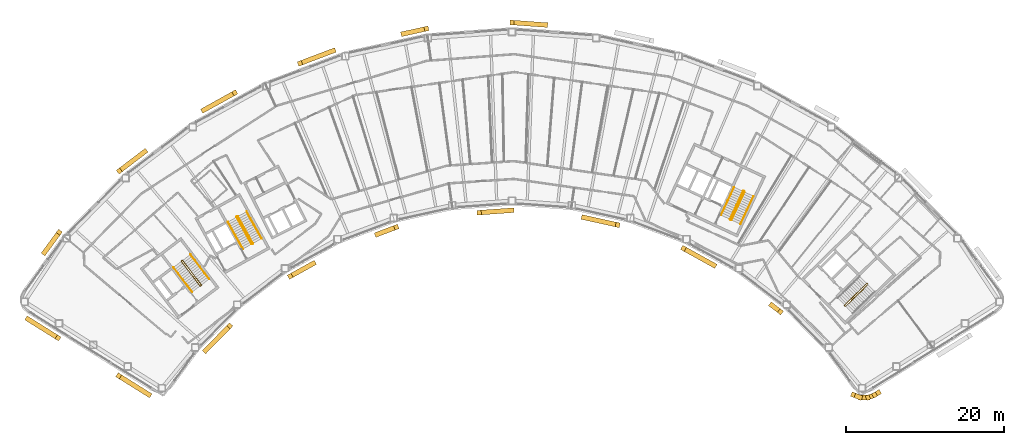
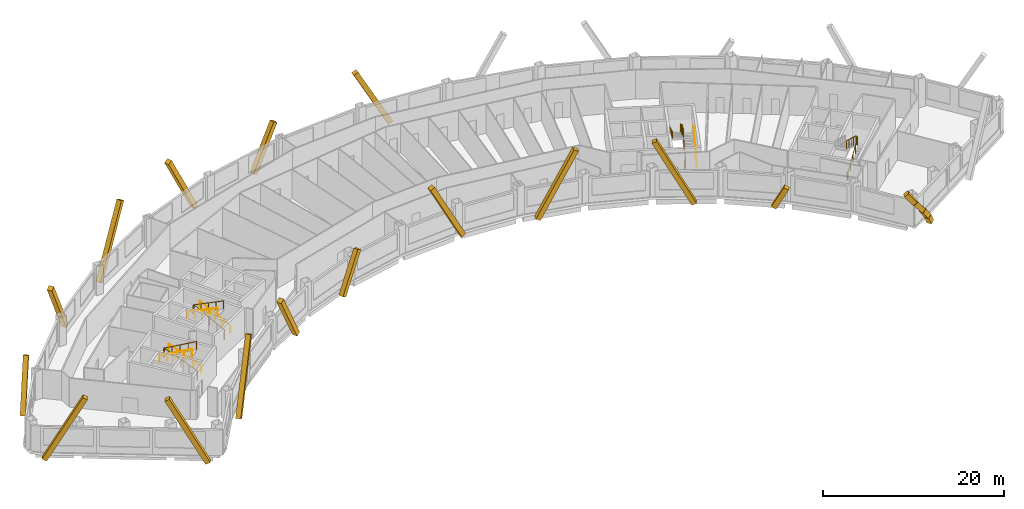
# One storey, part 14 of 15: 19 coverings, 10 railings.
"""IFC4 building model written with IfcOpenShell, lengths in metres."""

from ifc_helpers import new_model, si_unit, direction, frame, origin, origin_2d, place, context, subcontext, project, spatial, rectangle, circle, extrude, material, material_profile, profile_set, type_object, element, save


model = new_model("IFC4")

# Units and contexts
model_context = context("Model", 3, precision=1e-05, world=origin(), true_north=direction((0.0, 1.0)))
body_context = subcontext(model_context, "Body", "Model", "MODEL_VIEW")
ifc_project = project(units=[si_unit("LENGTHUNIT", "METRE"), si_unit("AREAUNIT", "SQUARE_METRE"), si_unit("VOLUMEUNIT", "CUBIC_METRE"), si_unit("PLANEANGLEUNIT", "RADIAN"), si_unit("MASSUNIT", "GRAM", prefix="KILO")], contexts=[model_context])

# Site, building, storey
site_placement = place(None, origin())
site = spatial("IfcSite", under=ifc_project, at=site_placement, CompositionType="ELEMENT")
building_placement = place(site_placement, origin())
building = spatial("IfcBuilding", under=site, at=building_placement, Name="Tuul Gate Civic Tower", CompositionType="ELEMENT")
storey_placement = place(building_placement, frame((0.0, 0.0, 226.300048828125)))
storey = spatial("IfcBuildingStorey", under=building, at=storey_placement, Name="Level 51", CompositionType="ELEMENT", Elevation=226.300048828125)

# Railings
ifc_material_1 = material(Name="Painted steel", Category="steel")
railing_type_1 = type_object("IfcRailingType", Name="Stair guard", PredefinedType="GUARDRAIL", material=ifc_material_1)
railing_1_placement = place(storey_placement, frame((-33.382080078125, -13.515380859375, 0.0)))
element("IfcRailing", 1, at=railing_1_placement, inside=storey, type_object=railing_type_1, Name="Level 51 ST-1 stair guard 1", PredefinedType="GUARDRAIL", context=body_context, shape_type="SweptSolid", body=[
    extrude(circle(Radius=0.02392578125, at=origin_2d()), frame((0.0, 0.0, 1.076171875), z_axis=(-0.795879841968, -0.605454603706, 0.0), x_axis=(0.605454603706, -0.795879841968, 0.0)), (0.0, 0.0, 1.0), 0.10009765625),
    extrude(circle(Radius=0.02392578125, at=origin_2d()), frame((-0.07958984375, -0.060546875, 1.076171875), z_axis=(0.408991890351, 0.599481263939, 0.688002796371), x_axis=(-0.826063974707, 0.563576356576, 0.0)), (0.0, 0.0, 1.0), 0.2177734375),
    extrude(circle(Radius=0.02392578125, at=origin_2d()), frame((0.009521484375, 0.070068359375, 1.22607421875), z_axis=(-0.541824460341, 0.711645023348, 0.447199748346), x_axis=(-0.795637165283, -0.60577347352, 0.0)), (0.0, 0.0, 1.0), 4.3603515625),
    extrude(circle(Radius=0.02392578125, at=origin_2d()), frame((-2.35302734375, 3.173095703125, 3.17578125), z_axis=(-0.990893089246, 0.134650977284, 0.0), x_axis=(-0.134650977284, -0.990893089246, 0.0)), (0.0, 0.0, 1.0), 0.07080078125),
    extrude(circle(Radius=0.02392578125, at=origin_2d()), frame((-2.423095703125, 3.1826171875, 3.17578125), z_axis=(-0.793802879778, -0.60817512943, 0.0), x_axis=(0.60817512943, -0.793802879778, 0.0)), (0.0, 0.0, 1.0), 0.099853515625),
    extrude(circle(Radius=0.02392578125, at=origin_2d()), frame((-2.50244140625, 3.121826171875, 3.17578125), z_axis=(-0.057370624079, -0.422188951554, 0.904690610473), x_axis=(0.990893089246, -0.134650977284, 0.0)), (0.0, 0.0, 1.0), 0.166015625),
    extrude(circle(Radius=0.02392578125, at=origin_2d()), frame((-2.511962890625, 3.0517578125, 3.326171875), z_axis=(0.541806494602, -0.71163897684, 0.447231136047), x_axis=(0.795644365679, 0.605764016233, 0.0)), (0.0, 0.0, 1.0), 4.360107421875),
    extrude(circle(Radius=0.02099609375, at=origin_2d()), origin(), (0.0, 0.0, 1.0), 1.052001953125),
    extrude(circle(Radius=0.02099609375, at=origin_2d()), frame((-0.07958984375, -0.060546875, 0.0)), (0.0, 0.0, 1.0), 1.052001953125),
    extrude(circle(Radius=0.02099609375, at=origin_2d()), frame((0.009521484375, 0.070068359375, 0.14990234375)), (0.0, 0.0, 1.0), 1.052001953125),
    extrude(circle(Radius=0.02099609375, at=origin_2d()), frame((-0.5810546875, 0.845703125, 0.637451171875)), (0.0, 0.0, 1.0), 1.052001953125),
    extrude(circle(Radius=0.02099609375, at=origin_2d()), frame((-1.171875, 1.62158203125, 1.125)), (0.0, 0.0, 1.0), 1.052001953125),
    extrude(circle(Radius=0.02099609375, at=origin_2d()), frame((-1.762451171875, 2.3974609375, 1.6123046875)), (0.0, 0.0, 1.0), 1.052001953125),
    extrude(circle(Radius=0.02099609375, at=origin_2d()), frame((-2.35302734375, 3.173095703125, 2.099853515625)), (0.0, 0.0, 1.0), 1.052001953125),
    extrude(circle(Radius=0.02099609375, at=origin_2d()), frame((-2.423095703125, 3.1826171875, 2.099853515625)), (0.0, 0.0, 1.0), 1.052001953125),
    extrude(circle(Radius=0.02099609375, at=origin_2d()), frame((-2.50244140625, 3.121826171875, 2.099853515625)), (0.0, 0.0, 1.0), 1.052001953125),
    extrude(circle(Radius=0.02099609375, at=origin_2d()), frame((-2.511962890625, 3.0517578125, 2.25)), (0.0, 0.0, 1.0), 1.052001953125),
    extrude(circle(Radius=0.02099609375, at=origin_2d()), frame((-1.92138671875, 2.276123046875, 2.737548828125)), (0.0, 0.0, 1.0), 1.052001953125),
    extrude(circle(Radius=0.02099609375, at=origin_2d()), frame((-1.330810546875, 1.50048828125, 3.22509765625)), (0.0, 0.0, 1.0), 1.052001953125),
    extrude(circle(Radius=0.02099609375, at=origin_2d()), frame((-0.740234375, 0.724609375, 3.71240234375)), (0.0, 0.0, 1.0), 1.052001953125),
    extrude(circle(Radius=0.02099609375, at=origin_2d()), frame((-0.149658203125, -0.051025390625, 4.199951171875)), (0.0, 0.0, 1.0), 1.052001953125),
])
railing_2_placement = place(storey_placement, frame((-26.857666015625, -8.247314453125, 0.0)))
element("IfcRailing", 2, at=railing_2_placement, inside=storey, type_object=railing_type_1, Name="Level 51 ST-2 stair guard 1", PredefinedType="GUARDRAIL", context=body_context, shape_type="SweptSolid", body=[
    extrude(circle(Radius=0.02392578125, at=origin_2d()), frame((0.0, 0.0, 1.076171875), z_axis=(-0.874616555828, -0.48481530532, 0.0), x_axis=(0.48481530532, -0.874616555828, 0.0)), (0.0, 0.0, 1.0), 0.10009765625),
    extrude(circle(Radius=0.02392578125, at=origin_2d()), frame((-0.087646484375, -0.048583984375, 1.076171875), z_axis=(0.49081399482, 0.534516610797, 0.688036056665), x_axis=(-0.736576986774, 0.676353711126, 0.0)), (0.0, 0.0, 1.0), 0.2177734375),
    extrude(circle(Radius=0.02392578125, at=origin_2d()), frame((0.019287109375, 0.06787109375, 1.22607421875), z_axis=(-0.43354991378, 0.782327185242, 0.447212083348), x_axis=(-0.874667644053, -0.484723129681, 0.0)), (0.0, 0.0, 1.0), 4.3603515625),
    extrude(circle(Radius=0.02392578125, at=origin_2d()), frame((-1.87109375, 3.47900390625, 3.17578125), z_axis=(-0.961263487578, 0.275631107549, 0.0), x_axis=(-0.275631107549, -0.961263487578, 0.0)), (0.0, 0.0, 1.0), 0.07080078125),
    extrude(circle(Radius=0.02392578125, at=origin_2d()), frame((-1.939208984375, 3.49853515625, 3.17578125), z_axis=(-0.874042088414, -0.485850211157, 0.0), x_axis=(0.485850211157, -0.874042088414, 0.0)), (0.0, 0.0, 1.0), 0.10009765625),
    extrude(circle(Radius=0.02392578125, at=origin_2d()), frame((-2.026611328125, 3.449951171875, 3.17578125), z_axis=(-0.117709570447, -0.409040757305, 0.904892322815), x_axis=(0.961000426733, -0.276546885391, 0.0)), (0.0, 0.0, 1.0), 0.166015625),
    extrude(circle(Radius=0.02392578125, at=origin_2d()), frame((-2.046142578125, 3.382080078125, 3.326171875), z_axis=(0.433595379963, -0.782308193291, 0.447201226726), x_axis=(0.874641102302, 0.484771020343, 0.0)), (0.0, 0.0, 1.0), 4.3603515625),
    extrude(circle(Radius=0.02099609375, at=origin_2d()), origin(), (0.0, 0.0, 1.0), 1.052001953125),
    extrude(circle(Radius=0.02099609375, at=origin_2d()), frame((-0.087646484375, -0.048583984375, 0.0)), (0.0, 0.0, 1.0), 1.052001953125),
    extrude(circle(Radius=0.02099609375, at=origin_2d()), frame((0.019287109375, 0.06787109375, 0.14990234375)), (0.0, 0.0, 1.0), 1.052001953125),
    extrude(circle(Radius=0.02099609375, at=origin_2d()), frame((-0.453369140625, 0.920654296875, 0.637451171875)), (0.0, 0.0, 1.0), 1.052001953125),
    extrude(circle(Radius=0.02099609375, at=origin_2d()), frame((-0.92578125, 1.7734375, 1.125)), (0.0, 0.0, 1.0), 1.052001953125),
    extrude(circle(Radius=0.02099609375, at=origin_2d()), frame((-1.3984375, 2.626220703125, 1.6123046875)), (0.0, 0.0, 1.0), 1.052001953125),
    extrude(circle(Radius=0.02099609375, at=origin_2d()), frame((-1.87109375, 3.47900390625, 2.099853515625)), (0.0, 0.0, 1.0), 1.052001953125),
    extrude(circle(Radius=0.02099609375, at=origin_2d()), frame((-1.939208984375, 3.49853515625, 2.099853515625)), (0.0, 0.0, 1.0), 1.052001953125),
    extrude(circle(Radius=0.02099609375, at=origin_2d()), frame((-2.026611328125, 3.449951171875, 2.099853515625)), (0.0, 0.0, 1.0), 1.052001953125),
    extrude(circle(Radius=0.02099609375, at=origin_2d()), frame((-2.046142578125, 3.382080078125, 2.25)), (0.0, 0.0, 1.0), 1.052001953125),
    extrude(circle(Radius=0.02099609375, at=origin_2d()), frame((-1.573486328125, 2.529296875, 2.737548828125)), (0.0, 0.0, 1.0), 1.052001953125),
    extrude(circle(Radius=0.02099609375, at=origin_2d()), frame((-1.100830078125, 1.676513671875, 3.22509765625)), (0.0, 0.0, 1.0), 1.052001953125),
    extrude(circle(Radius=0.02099609375, at=origin_2d()), frame((-0.628173828125, 0.82373046875, 3.71240234375)), (0.0, 0.0, 1.0), 1.052001953125),
    extrude(circle(Radius=0.02099609375, at=origin_2d()), frame((-0.155517578125, -0.029052734375, 4.199951171875)), (0.0, 0.0, 1.0), 1.052001953125),
])
railing_3_placement = place(storey_placement, frame((48.10546875, -16.134765625, 0.0)))
element("IfcRailing", 3, at=railing_3_placement, inside=storey, type_object=railing_type_1, Name="Level 51 ST-3 stair guard 1", PredefinedType="GUARDRAIL", context=body_context, shape_type="SweptSolid", body=[
    extrude(circle(Radius=0.02392578125, at=origin_2d()), frame((0.0, 0.0, 1.076171875), z_axis=(-0.698506948293, 0.715603272202, 0.0), x_axis=(-0.715603272202, -0.698506948293, 0.0)), (0.0, 0.0, 1.0), 0.099853515625),
    extrude(circle(Radius=0.02392578125, at=origin_2d()), frame((-0.06982421875, 0.071533203125, 1.076171875), z_axis=(0.645446321009, -0.331687692741, 0.688027849131), x_axis=(0.457068866502, 0.889431307788, 0.0)), (0.0, 0.0, 1.0), 0.2177734375),
    extrude(circle(Radius=0.02392578125, at=origin_2d()), frame((0.07080078125, -0.000732421875, 1.22607421875), z_axis=(0.638731261263, 0.626133563701, 0.447190268558), x_axis=(-0.700029477518, 0.714113947914, 0.0)), (0.0, 0.0, 1.0), 4.3603515625),
    extrude(circle(Radius=0.02392578125, at=origin_2d()), frame((2.85595703125, 2.7294921875, 3.17578125), z_axis=(0.010380063588, 0.999946125689, 0.0), x_axis=(-0.999946125689, 0.010380063588, 0.0)), (0.0, 0.0, 1.0), 0.070556640625),
    extrude(circle(Radius=0.02392578125, at=origin_2d()), frame((2.856689453125, 2.800048828125, 3.17578125), z_axis=(-0.699754442181, 0.714383454909, 0.0), x_axis=(-0.714383454909, -0.699754442181, 0.0)), (0.0, 0.0, 1.0), 0.10009765625),
    extrude(circle(Radius=0.02392578125, at=origin_2d()), frame((2.78662109375, 2.87158203125, 3.17578125), z_axis=(-0.426501027327, 0.004412079593, 0.904476316574), x_axis=(-0.010344274102, -0.999946496565, 0.0)), (0.0, 0.0, 1.0), 0.166015625),
    extrude(circle(Radius=0.02392578125, at=origin_2d()), frame((2.7158203125, 2.872314453125, 3.326171875), z_axis=(-0.638731261263, -0.626133563701, 0.447190268558), x_axis=(0.700029477518, -0.714113947914, 0.0)), (0.0, 0.0, 1.0), 4.3603515625),
    extrude(circle(Radius=0.02099609375, at=origin_2d()), origin(), (0.0, 0.0, 1.0), 1.052001953125),
    extrude(circle(Radius=0.02099609375, at=origin_2d()), frame((-0.06982421875, 0.071533203125, 0.0)), (0.0, 0.0, 1.0), 1.052001953125),
    extrude(circle(Radius=0.02099609375, at=origin_2d()), frame((0.07080078125, -0.000732421875, 0.14990234375)), (0.0, 0.0, 1.0), 1.052001953125),
    extrude(circle(Radius=0.02099609375, at=origin_2d()), frame((0.76708984375, 0.681884765625, 0.637451171875)), (0.0, 0.0, 1.0), 1.052001953125),
    extrude(circle(Radius=0.02099609375, at=origin_2d()), frame((1.46337890625, 1.3642578125, 1.125)), (0.0, 0.0, 1.0), 1.052001953125),
    extrude(circle(Radius=0.02099609375, at=origin_2d()), frame((2.15966796875, 2.046875, 1.6123046875)), (0.0, 0.0, 1.0), 1.052001953125),
    extrude(circle(Radius=0.02099609375, at=origin_2d()), frame((2.85595703125, 2.7294921875, 2.099853515625)), (0.0, 0.0, 1.0), 1.052001953125),
    extrude(circle(Radius=0.02099609375, at=origin_2d()), frame((2.856689453125, 2.800048828125, 2.099853515625)), (0.0, 0.0, 1.0), 1.052001953125),
    extrude(circle(Radius=0.02099609375, at=origin_2d()), frame((2.78662109375, 2.87158203125, 2.099853515625)), (0.0, 0.0, 1.0), 1.052001953125),
    extrude(circle(Radius=0.02099609375, at=origin_2d()), frame((2.7158203125, 2.872314453125, 2.25)), (0.0, 0.0, 1.0), 1.052001953125),
    extrude(circle(Radius=0.02099609375, at=origin_2d()), frame((2.01953125, 2.189697265625, 2.737548828125)), (0.0, 0.0, 1.0), 1.052001953125),
    extrude(circle(Radius=0.02099609375, at=origin_2d()), frame((1.3232421875, 1.50732421875, 3.22509765625)), (0.0, 0.0, 1.0), 1.052001953125),
    extrude(circle(Radius=0.02099609375, at=origin_2d()), frame((0.626953125, 0.82470703125, 3.71240234375)), (0.0, 0.0, 1.0), 1.052001953125),
    extrude(circle(Radius=0.02099609375, at=origin_2d()), frame((-0.0693359375, 0.14208984375, 4.199951171875)), (0.0, 0.0, 1.0), 1.052001953125),
])
railing_4_placement = place(storey_placement, frame((33.645751953125, -5.238525390625, 0.0)))
element("IfcRailing", 4, at=railing_4_placement, inside=storey, type_object=railing_type_1, Name="Level 51 ST-4 stair guard 1", PredefinedType="GUARDRAIL", context=body_context, shape_type="SweptSolid", body=[
    extrude(circle(Radius=0.02392578125, at=origin_2d()), frame((0.0, 0.0, 1.076171875), z_axis=(-0.906307919131, 0.422617978463, 0.0), x_axis=(-0.422617978463, -0.906307919131, 0.0)), (0.0, 0.0, 1.0), 0.099853515625),
    extrude(circle(Radius=0.02392578125, at=origin_2d()), frame((-0.090576171875, 0.042236328125, 1.076171875), z_axis=(0.720735628292, -0.082946246491, 0.688229666829), x_axis=(0.114330889033, 0.993442724979, 0.0)), (0.0, 0.0, 1.0), 0.2177734375),
    extrude(circle(Radius=0.02392578125, at=origin_2d()), frame((0.06640625, 0.024169921875, 1.22607421875), z_axis=(0.377946903738, 0.810654114417, 0.447209173356), x_axis=(-0.906336612539, 0.422556439746, 0.0)), (0.0, 0.0, 1.0), 4.3603515625),
    extrude(circle(Radius=0.02392578125, at=origin_2d()), frame((1.71435546875, 3.558837890625, 3.17578125), z_axis=(-0.342020437038, 0.939692513883, 0.0), x_axis=(-0.939692513883, -0.342020437038, 0.0)), (0.0, 0.0, 1.0), 0.070556640625),
    extrude(circle(Radius=0.02392578125, at=origin_2d()), frame((1.690185546875, 3.625244140625, 3.17578125), z_axis=(-0.906307919131, 0.422617978463, 0.0), x_axis=(-0.422617978463, -0.906307919131, 0.0)), (0.0, 0.0, 1.0), 0.099853515625),
    extrude(circle(Radius=0.02392578125, at=origin_2d()), frame((1.599609375, 3.66748046875, 3.17578125), z_axis=(-0.400168791901, -0.145649670582, 0.904793408159), x_axis=(0.342020437038, -0.939692513883, 0.0)), (0.0, 0.0, 1.0), 0.166015625),
    extrude(circle(Radius=0.02392578125, at=origin_2d()), frame((1.533203125, 3.643310546875, 3.326171875), z_axis=(-0.377946903738, -0.810654114417, 0.447209173356), x_axis=(0.906336612539, -0.422556439746, 0.0)), (0.0, 0.0, 1.0), 4.3603515625),
    extrude(circle(Radius=0.02099609375, at=origin_2d()), origin(), (0.0, 0.0, 1.0), 1.052001953125),
    extrude(circle(Radius=0.02099609375, at=origin_2d()), frame((-0.090576171875, 0.042236328125, 0.0)), (0.0, 0.0, 1.0), 1.052001953125),
    extrude(circle(Radius=0.02099609375, at=origin_2d()), frame((0.06640625, 0.024169921875, 0.14990234375)), (0.0, 0.0, 1.0), 1.052001953125),
    extrude(circle(Radius=0.02099609375, at=origin_2d()), frame((0.478515625, 0.90771484375, 0.637451171875)), (0.0, 0.0, 1.0), 1.052001953125),
    extrude(circle(Radius=0.02099609375, at=origin_2d()), frame((0.890380859375, 1.79150390625, 1.125)), (0.0, 0.0, 1.0), 1.052001953125),
    extrude(circle(Radius=0.02099609375, at=origin_2d()), frame((1.30224609375, 2.67529296875, 1.6123046875)), (0.0, 0.0, 1.0), 1.052001953125),
    extrude(circle(Radius=0.02099609375, at=origin_2d()), frame((1.71435546875, 3.558837890625, 2.099853515625)), (0.0, 0.0, 1.0), 1.052001953125),
    extrude(circle(Radius=0.02099609375, at=origin_2d()), frame((1.690185546875, 3.625244140625, 2.099853515625)), (0.0, 0.0, 1.0), 1.052001953125),
    extrude(circle(Radius=0.02099609375, at=origin_2d()), frame((1.599609375, 3.66748046875, 2.099853515625)), (0.0, 0.0, 1.0), 1.052001953125),
    extrude(circle(Radius=0.02099609375, at=origin_2d()), frame((1.533203125, 3.643310546875, 2.25)), (0.0, 0.0, 1.0), 1.052001953125),
    extrude(circle(Radius=0.02099609375, at=origin_2d()), frame((1.12109375, 2.759765625, 2.737548828125)), (0.0, 0.0, 1.0), 1.052001953125),
    extrude(circle(Radius=0.02099609375, at=origin_2d()), frame((0.709228515625, 1.8759765625, 3.22509765625)), (0.0, 0.0, 1.0), 1.052001953125),
    extrude(circle(Radius=0.02099609375, at=origin_2d()), frame((0.29736328125, 0.9921875, 3.71240234375)), (0.0, 0.0, 1.0), 1.052001953125),
    extrude(circle(Radius=0.02099609375, at=origin_2d()), frame((-0.11474609375, 0.108642578125, 4.199951171875)), (0.0, 0.0, 1.0), 1.052001953125),
])
ifc_material_2 = material(Name="Painted steel", Category="steel")
railing_type_2 = type_object("IfcRailingType", Name="Stair handrail", PredefinedType="HANDRAIL", material=ifc_material_2)
railing_5_placement = place(storey_placement, frame((-32.3779296875, -12.688232421875, 0.14990234375)))
element("IfcRailing", 5, at=railing_5_placement, inside=storey, type_object=railing_type_2, Name="Level 51 ST-1 stair handrail 1", PredefinedType="HANDRAIL", context=body_context, shape_type="SweptSolid", body=[
    extrude(circle(Radius=0.02392578125, at=origin_2d()), frame((0.0, 0.0, 0.8759765625), z_axis=(-0.541824460341, 0.711645023348, 0.447199748346), x_axis=(-0.795637165283, -0.60577347352, 0.0)), (0.0, 0.0, 1.0), 4.3603515625),
    extrude(circle(Radius=0.02099609375, at=origin_2d()), origin(), (0.0, 0.0, 1.0), 0.851806640625),
    extrude(circle(Radius=0.02099609375, at=origin_2d()), frame((-0.590576171875, 0.77587890625, 0.487548828125)), (0.0, 0.0, 1.0), 0.851806640625),
    extrude(circle(Radius=0.02099609375, at=origin_2d()), frame((-1.18115234375, 1.551513671875, 0.97509765625)), (0.0, 0.0, 1.0), 0.851806640625),
    extrude(circle(Radius=0.02099609375, at=origin_2d()), frame((-1.77197265625, 2.3271484375, 1.46240234375)), (0.0, 0.0, 1.0), 0.851806640625),
    extrude(circle(Radius=0.02099609375, at=origin_2d()), frame((-2.362548828125, 3.10302734375, 1.949951171875)), (0.0, 0.0, 1.0), 0.851806640625),
])
railing_6_placement = place(storey_placement, frame((-36.888671875, -11.220703125, 2.25)))
element("IfcRailing", 6, at=railing_6_placement, inside=storey, type_object=railing_type_2, Name="Level 51 ST-1 stair handrail 2", PredefinedType="HANDRAIL", context=body_context, shape_type="SweptSolid", body=[
    extrude(circle(Radius=0.02392578125, at=origin_2d()), frame((0.0, 0.0, 0.8759765625), z_axis=(0.541824460341, -0.711645023348, 0.447199748346), x_axis=(0.795637165283, 0.60577347352, 0.0)), (0.0, 0.0, 1.0), 4.3603515625),
    extrude(circle(Radius=0.02099609375, at=origin_2d()), origin(), (0.0, 0.0, 1.0), 0.851806640625),
    extrude(circle(Radius=0.02099609375, at=origin_2d()), frame((0.590576171875, -0.77587890625, 0.487548828125)), (0.0, 0.0, 1.0), 0.851806640625),
    extrude(circle(Radius=0.02099609375, at=origin_2d()), frame((1.18115234375, -1.551513671875, 0.97509765625)), (0.0, 0.0, 1.0), 0.851806640625),
    extrude(circle(Radius=0.02099609375, at=origin_2d()), frame((1.77197265625, -2.3271484375, 1.46240234375)), (0.0, 0.0, 1.0), 0.851806640625),
    extrude(circle(Radius=0.02099609375, at=origin_2d()), frame((2.362548828125, -3.10302734375, 1.949951171875)), (0.0, 0.0, 1.0), 0.851806640625),
])
railing_7_placement = place(storey_placement, frame((-25.744873046875, -7.573486328125, 0.14990234375)))
element("IfcRailing", 7, at=railing_7_placement, inside=storey, type_object=railing_type_2, Name="Level 51 ST-2 stair handrail 1", PredefinedType="HANDRAIL", context=body_context, shape_type="SweptSolid", body=[
    extrude(circle(Radius=0.02392578125, at=origin_2d()), frame((0.0, 0.0, 0.8759765625), z_axis=(-0.433595379963, 0.782308193291, 0.447201226726), x_axis=(-0.874641102302, -0.484771020343, 0.0)), (0.0, 0.0, 1.0), 4.3603515625),
    extrude(circle(Radius=0.02099609375, at=origin_2d()), origin(), (0.0, 0.0, 1.0), 0.851806640625),
    extrude(circle(Radius=0.02099609375, at=origin_2d()), frame((-0.47265625, 0.852783203125, 0.487548828125)), (0.0, 0.0, 1.0), 0.851806640625),
    extrude(circle(Radius=0.02099609375, at=origin_2d()), frame((-0.9453125, 1.70556640625, 0.97509765625)), (0.0, 0.0, 1.0), 0.851806640625),
    extrude(circle(Radius=0.02099609375, at=origin_2d()), frame((-1.41796875, 2.558349609375, 1.46240234375)), (0.0, 0.0, 1.0), 0.851806640625),
    extrude(circle(Radius=0.02099609375, at=origin_2d()), frame((-1.890625, 3.4111328125, 1.949951171875)), (0.0, 0.0, 1.0), 0.851806640625),
])
railing_8_placement = place(storey_placement, frame((-29.9970703125, -5.47119140625, 2.25)))
element("IfcRailing", 8, at=railing_8_placement, inside=storey, type_object=railing_type_2, Name="Level 51 ST-2 stair handrail 2", PredefinedType="HANDRAIL", context=body_context, shape_type="SweptSolid", body=[
    extrude(circle(Radius=0.02392578125, at=origin_2d()), frame((0.0, 0.0, 0.8759765625), z_axis=(0.433595379963, -0.782308193291, 0.447201226726), x_axis=(0.874641102302, 0.484771020343, 0.0)), (0.0, 0.0, 1.0), 4.3603515625),
    extrude(circle(Radius=0.02099609375, at=origin_2d()), origin(), (0.0, 0.0, 1.0), 0.851806640625),
    extrude(circle(Radius=0.02099609375, at=origin_2d()), frame((0.47265625, -0.852783203125, 0.487548828125)), (0.0, 0.0, 1.0), 0.851806640625),
    extrude(circle(Radius=0.02099609375, at=origin_2d()), frame((0.9453125, -1.70556640625, 0.97509765625)), (0.0, 0.0, 1.0), 0.851806640625),
    extrude(circle(Radius=0.02099609375, at=origin_2d()), frame((1.41796875, -2.558349609375, 1.46240234375)), (0.0, 0.0, 1.0), 0.851806640625),
    extrude(circle(Radius=0.02099609375, at=origin_2d()), frame((1.890625, -3.4111328125, 1.949951171875)), (0.0, 0.0, 1.0), 0.851806640625),
])
railing_9_placement = place(storey_placement, frame((34.844970703125, -5.74267578125, 0.14990234375)))
element("IfcRailing", 9, at=railing_9_placement, inside=storey, type_object=railing_type_2, Name="Level 51 ST-4 stair handrail 1", PredefinedType="HANDRAIL", context=body_context, shape_type="SweptSolid", body=[
    extrude(circle(Radius=0.02392578125, at=origin_2d()), frame((0.0, 0.0, 0.8759765625), z_axis=(0.377994896215, 0.810636958585, 0.447199709091), x_axis=(-0.906312636903, 0.422607861012, 0.0)), (0.0, 0.0, 1.0), 4.3603515625),
    extrude(circle(Radius=0.02099609375, at=origin_2d()), origin(), (0.0, 0.0, 1.0), 0.851806640625),
    extrude(circle(Radius=0.02099609375, at=origin_2d()), frame((0.412109375, 0.8837890625, 0.487548828125)), (0.0, 0.0, 1.0), 0.851806640625),
    extrude(circle(Radius=0.02099609375, at=origin_2d()), frame((0.82421875, 1.767333984375, 0.97509765625)), (0.0, 0.0, 1.0), 0.851806640625),
    extrude(circle(Radius=0.02099609375, at=origin_2d()), frame((1.236083984375, 2.65087890625, 1.46240234375)), (0.0, 0.0, 1.0), 0.851806640625),
    extrude(circle(Radius=0.02099609375, at=origin_2d()), frame((1.648193359375, 3.53466796875, 1.949951171875)), (0.0, 0.0, 1.0), 0.851806640625),
])
railing_10_placement = place(storey_placement, frame((34.046142578125, -1.06689453125, 2.25)))
element("IfcRailing", 10, at=railing_10_placement, inside=storey, type_object=railing_type_2, Name="Level 51 ST-4 stair handrail 2", PredefinedType="HANDRAIL", context=body_context, shape_type="SweptSolid", body=[
    extrude(circle(Radius=0.02392578125, at=origin_2d()), frame((0.0, 0.0, 0.8759765625), z_axis=(-0.377994896215, -0.810636958585, 0.447199709091), x_axis=(0.906312636903, -0.422607861012, 0.0)), (0.0, 0.0, 1.0), 4.3603515625),
    extrude(circle(Radius=0.02099609375, at=origin_2d()), origin(), (0.0, 0.0, 1.0), 0.851806640625),
    extrude(circle(Radius=0.02099609375, at=origin_2d()), frame((-0.412109375, -0.8837890625, 0.487548828125)), (0.0, 0.0, 1.0), 0.851806640625),
    extrude(circle(Radius=0.02099609375, at=origin_2d()), frame((-0.82421875, -1.767333984375, 0.97509765625)), (0.0, 0.0, 1.0), 0.851806640625),
    extrude(circle(Radius=0.02099609375, at=origin_2d()), frame((-1.236083984375, -2.65087890625, 1.46240234375)), (0.0, 0.0, 1.0), 0.851806640625),
    extrude(circle(Radius=0.02099609375, at=origin_2d()), frame((-1.648193359375, -3.53466796875, 1.949951171875)), (0.0, 0.0, 1.0), 0.851806640625),
])

# Coverings
ifc_material_3 = material(Name="Terracotta baguette", Category="masonry")
ifc_material_profile = material_profile(ifc_material_3, rectangle(XDim=0.60009765625, YDim=0.60009765625, at=origin_2d()), Name="Terracotta baguette screen frame")
ifc_profile_set = profile_set([ifc_material_profile], Name="Terracotta baguette")
covering_type = type_object("IfcCoveringType", Name="Terracotta baguette screen frame", PredefinedType="CLADDING", material=ifc_profile_set)
covering_1_placement = place(storey_placement, frame((5.93994140625, 19.76904296875, 7.55126953125), z_axis=(0.473929597692, -0.034391976886, -0.879890861617), x_axis=(0.072377369692, 0.99737731895, 0.0)))
element("IfcCovering", 11, at=covering_1_placement, inside=storey, type_object=covering_type, Name="Baguette 77", PredefinedType="CLADDING", context=body_context, shape_type="SweptSolid", body=[
    extrude(rectangle(XDim=0.60009765625, YDim=0.60009765625, at=origin_2d()), origin(), (0.0, 0.0, 1.0), 8.97998046875),
])
covering_2_placement = place(storey_placement, frame((-4.88330078125, 18.984130859375, 5.253662109375), z_axis=(-0.464038584102, -0.102276327335, -0.879890757612), x_axis=(0.215238820918, -0.976561441984, 0.0)))
element("IfcCovering", 12, at=covering_2_placement, inside=storey, type_object=covering_type, Name="Baguette 84", PredefinedType="CLADDING", context=body_context, shape_type="SweptSolid", body=[
    extrude(rectangle(XDim=0.60009765625, YDim=0.60009765625, at=origin_2d()), origin(), (0.0, 0.0, 1.0), 6.36865234375),
])
for number, where, z_axis, x_axis, name in (
    (13, (-20.889892578125, 14.603515625, 8.050048828125), (0.444440916685, 0.168043113156, -0.879905553851), (-0.353664314999, 0.935372413692, 0.0), "Baguette 98"),
    (14, (-29.1328125, 10.86962890625, 8.050048828125), (-0.415568648165, -0.230365685087, -0.879905875533), (0.48482929666, -0.874608800036, 0.0), "Baguette 103"),
):
    element("IfcCovering", number, at=place(storey_placement, frame(where, z_axis=z_axis, x_axis=x_axis)), inside=storey, type_object=covering_type, Name=name, PredefinedType="CLADDING", context=body_context, shape_type="SweptSolid", body=[
        extrude(rectangle(XDim=0.60009765625, YDim=0.60009765625, at=origin_2d()), origin(), (0.0, 0.0, 1.0), 9.546630859375),
    ])
covering_3_placement = place(storey_placement, frame((-43.753662109375, 0.976806640625, 7.220703125), z_axis=(0.378060731421, 0.287858459942, -0.879890669571), x_axis=(-0.605793108402, 0.79562221551, 0.0)))
element("IfcCovering", 15, at=covering_3_placement, inside=storey, type_object=covering_type, Name="Baguette 119", PredefinedType="CLADDING", context=body_context, shape_type="SweptSolid", body=[
    extrude(rectangle(XDim=0.60009765625, YDim=0.60009765625, at=origin_2d()), origin(), (0.0, 0.0, 1.0), 8.604248046875),
])
covering_4_placement = place(storey_placement, frame((-51.349609375, -6.772705078125, 5.58447265625), z_axis=(-0.281431381579, -0.385232704359, -0.878858430554), x_axis=(0.807475813419, -0.58990067871, 0.0)))
element("IfcCovering", 16, at=covering_4_placement, inside=storey, type_object=covering_type, Name="Baguette 126", PredefinedType="CLADDING", context=body_context, shape_type="SweptSolid", body=[
    extrude(rectangle(XDim=0.60009765625, YDim=0.60009765625, at=origin_2d()), origin(), (0.0, 0.0, 1.0), 6.752685546875),
])
covering_5_placement = place(storey_placement, frame((-51.505615234375, -20.144287109375, 8.050048828125), z_axis=(-0.402305409232, 0.251376917178, -0.880318126141), x_axis=(-0.529901976461, -0.848058898511, 0.0)))
element("IfcCovering", 17, at=covering_5_placement, inside=storey, type_object=covering_type, Name="Baguette 151", PredefinedType="CLADDING", context=body_context, shape_type="SweptSolid", body=[
    extrude(rectangle(XDim=0.60009765625, YDim=0.60009765625, at=origin_2d()), origin(), (0.0, 0.0, 1.0), 9.542236328125),
])
covering_6_placement = place(storey_placement, frame((-43.828125, -24.941650390625, 8.050048828125), z_axis=(0.402283964458, -0.251379504598, -0.880327187248), x_axis=(0.529926214669, 0.848043753002, 0.0)))
element("IfcCovering", 18, at=covering_6_placement, inside=storey, type_object=covering_type, Name="Baguette 155", PredefinedType="CLADDING", context=body_context, shape_type="SweptSolid", body=[
    extrude(rectangle(XDim=0.60009765625, YDim=0.60009765625, at=origin_2d()), origin(), (0.0, 0.0, 1.0), 9.5419921875),
])
covering_7_placement = place(storey_placement, frame((-29.767578125, -18.612060546875, 8.050048828125), z_axis=(-0.326346105138, -0.33287714128, -0.884698269736), x_axis=(0.714077164411, -0.700066999127, 0.0)))
element("IfcCovering", 19, at=covering_7_placement, inside=storey, type_object=covering_type, Name="Baguette 183", PredefinedType="CLADDING", context=body_context, shape_type="SweptSolid", body=[
    extrude(rectangle(XDim=0.60009765625, YDim=0.60009765625, at=origin_2d()), origin(), (0.0, 0.0, 1.0), 9.494873046875),
])
covering_8_placement = place(storey_placement, frame((-22.12890625, -12.345703125, 6.061279296875), z_axis=(0.407704575868, 0.225985977105, -0.884707475366), x_axis=(-0.484795901821, 0.874627311246, 0.0)))
element("IfcCovering", 20, at=covering_8_placement, inside=storey, type_object=covering_type, Name="Baguette 191", PredefinedType="CLADDING", context=body_context, shape_type="SweptSolid", body=[
    extrude(rectangle(XDim=0.60009765625, YDim=0.60009765625, at=origin_2d()), origin(), (0.0, 0.0, 1.0), 7.246826171875),
])
covering_9_placement = place(storey_placement, frame((-8.702392578125, -6.125732421875, 4.595458984375), z_axis=(-0.436037858965, -0.164868080688, -0.884697406755), x_axis=(0.353668375938, -0.935370878241, 0.0)))
element("IfcCovering", 21, at=covering_9_placement, inside=storey, type_object=covering_type, Name="Baguette 209", PredefinedType="CLADDING", context=body_context, shape_type="SweptSolid", body=[
    extrude(rectangle(XDim=0.60009765625, YDim=0.60009765625, at=origin_2d()), origin(), (0.0, 0.0, 1.0), 5.590087890625),
])
covering_10_placement = place(storey_placement, frame((1.787109375, -4.294189453125, 8.050048828125), z_axis=(0.46493106796, 0.033619354121, -0.884708336727), x_axis=(-0.072122095663, 0.997395810758, 0.0)))
element("IfcCovering", 22, at=covering_10_placement, inside=storey, type_object=covering_type, Name="Baguette 216", PredefinedType="CLADDING", context=body_context, shape_type="SweptSolid", body=[
    extrude(rectangle(XDim=0.60009765625, YDim=0.60009765625, at=origin_2d()), origin(), (0.0, 0.0, 1.0), 8.93212890625),
])
for number, where, z_axis, x_axis, name in (
    (23, (19.3173828125, -5.846923828125, 8.050048828125), (-0.455222659442, 0.100332061519, -0.884706622425), (-0.215236378617, -0.976561980276, 0.0), "Baguette 232"),
    (24, (27.64208984375, -8.81640625, 8.050048828125), (0.407704791436, -0.225991259582, -0.884706026674), (0.484804374507, 0.87462261488, 0.0), "Baguette 238"),
):
    element("IfcCovering", number, at=place(storey_placement, frame(where, z_axis=z_axis, x_axis=x_axis)), inside=storey, type_object=covering_type, Name=name, PredefinedType="CLADDING", context=body_context, shape_type="SweptSolid", body=[
        extrude(rectangle(XDim=0.60009765625, YDim=0.60009765625, at=origin_2d()), origin(), (0.0, 0.0, 1.0), 9.494873046875),
    ])
covering_11_placement = place(storey_placement, frame((39.910400390625, -16.83984375, 2.34423828125), z_axis=(-0.370846574446, 0.282423796319, -0.884708775527), x_axis=(-0.605872211995, -0.79556197919, 0.0)))
element("IfcCovering", 25, at=covering_11_placement, inside=storey, type_object=covering_type, Name="Baguette 255", PredefinedType="CLADDING", context=body_context, shape_type="SweptSolid", body=[
    extrude(rectangle(XDim=0.60009765625, YDim=0.60009765625, at=origin_2d()), origin(), (0.0, 0.0, 1.0), 3.04541015625),
])
covering_12_placement = place(storey_placement, frame((49.106201171875, -27.333740234375, 4.610107421875), z_axis=(0.560273068104, -0.222354592363, -0.79790508484), x_axis=(0.368879932634, 0.929477054746, 0.0)))
element("IfcCovering", 26, at=covering_12_placement, inside=storey, type_object=covering_type, Name="Baguette 272", PredefinedType="CLADDING", context=body_context, shape_type="SweptSolid", body=[
    extrude(rectangle(XDim=0.60009765625, YDim=0.60009765625, at=origin_2d()), origin(), (0.0, 0.0, 1.0), 1.614013671875),
])
covering_13_placement = place(storey_placement, frame((50.010498046875, -27.692626953125, 3.322265625), z_axis=(0.602680418248, -0.001662775169, -0.797980919972), x_axis=(0.002758956141, 0.999996194073, 0.0)))
element("IfcCovering", 27, at=covering_13_placement, inside=storey, type_object=covering_type, Name="Baguette 273", PredefinedType="CLADDING", context=body_context, shape_type="SweptSolid", body=[
    extrude(rectangle(XDim=0.60009765625, YDim=0.60009765625, at=origin_2d()), origin(), (0.0, 0.0, 1.0), 1.614990234375),
])
covering_14_placement = place(storey_placement, frame((50.98388671875, -27.6953125, 2.033447265625), z_axis=(0.534027838207, 0.207867231209, -0.819515394736), x_axis=(-0.362733847194, 0.93189278144, 0.0)))
element("IfcCovering", 28, at=covering_14_placement, inside=storey, type_object=covering_type, Name="Baguette 274", PredefinedType="CLADDING", context=body_context, shape_type="SweptSolid", body=[
    extrude(rectangle(XDim=0.60009765625, YDim=0.60009765625, at=origin_2d()), origin(), (0.0, 0.0, 1.0), 1.57275390625),
])
covering_15_placement = place(storey_placement, frame((51.82373046875, -27.368408203125, 0.74462890625), z_axis=(0.402262870713, 0.25148791478, -0.880305862508), x_axis=(-0.530110528821, 0.847928550783, 0.0)))
element("IfcCovering", 29, at=covering_15_placement, inside=storey, type_object=covering_type, Name="Baguette 275", PredefinedType="CLADDING", context=body_context, shape_type="SweptSolid", body=[
    extrude(rectangle(XDim=0.60009765625, YDim=0.60009765625, at=origin_2d()), origin(), (0.0, 0.0, 1.0), 1.24365234375),
])

save(model, "model.ifc")
